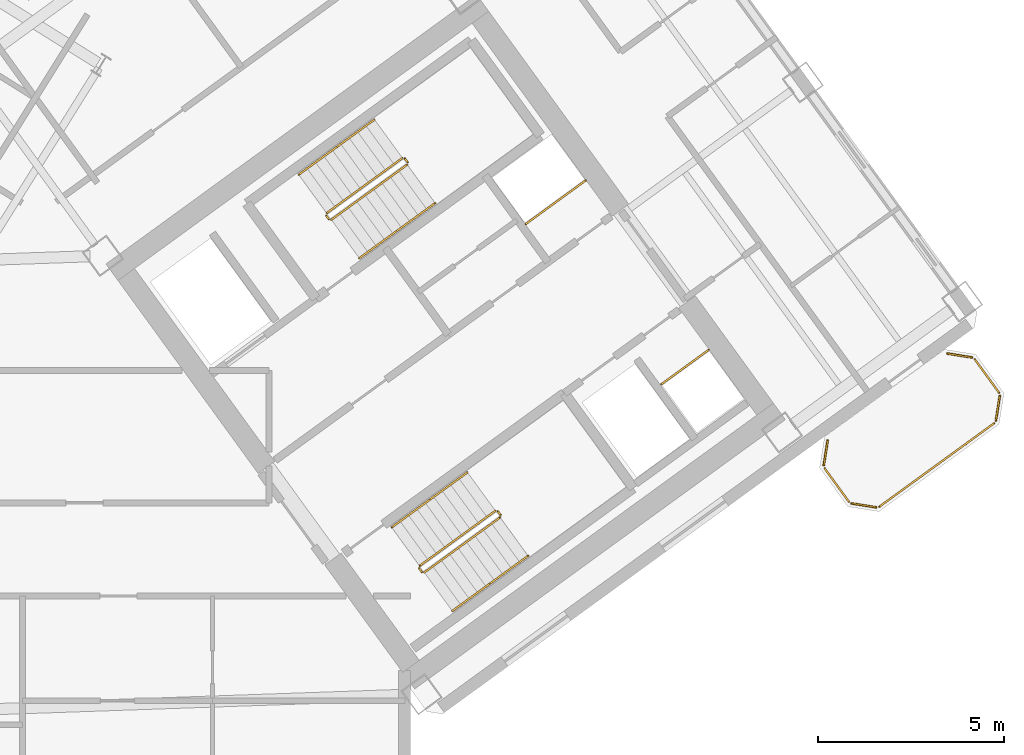
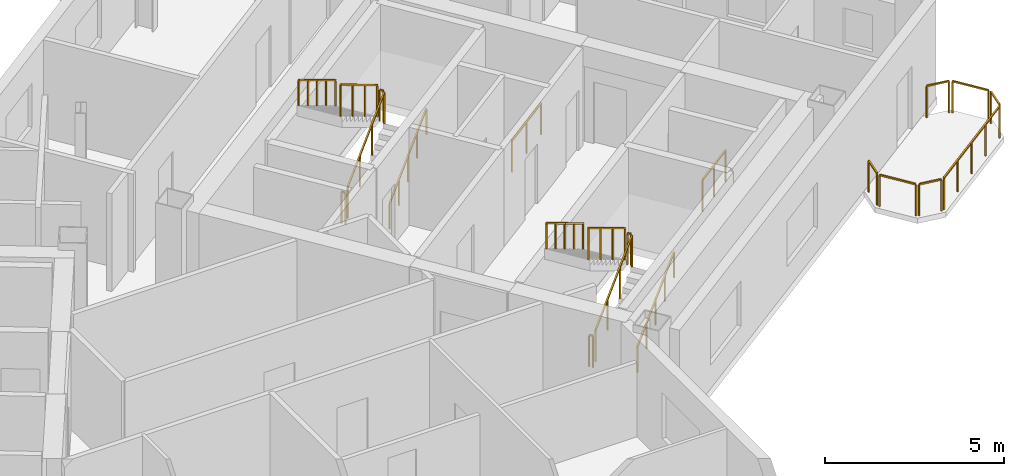
# One storey, part 19 of 20: 25 railings.
"""IFC4 building model written with IfcOpenShell, lengths in metres."""

from ifc_helpers import new_model, si_unit, direction, frame, origin, origin_2d, place, context, subcontext, project, spatial, rectangle, extrude, source, transform, mapped, material, type_object, element, save


model = new_model("IFC4")

# Units and contexts
model_context = context("Model", 3, precision=1e-05, world=origin(), true_north=direction((0.0, 1.0)))
body_context = subcontext(model_context, "Body", "Model", "MODEL_VIEW")
ifc_project = project(units=[si_unit("LENGTHUNIT", "METRE"), si_unit("AREAUNIT", "SQUARE_METRE"), si_unit("VOLUMEUNIT", "CUBIC_METRE"), si_unit("PLANEANGLEUNIT", "RADIAN"), si_unit("MASSUNIT", "GRAM", prefix="KILO")], contexts=[model_context])

# Site, building, storey
site_placement = place(None, origin())
site = spatial("IfcSite", under=ifc_project, at=site_placement, CompositionType="ELEMENT")
building_placement = place(site_placement, origin())
building = spatial("IfcBuilding", under=site, at=building_placement, Name="Tlacorven Tower", CompositionType="ELEMENT")
storey_placement = place(building_placement, frame((0.0, 0.0, 187.800048828125)))
storey = spatial("IfcBuildingStorey", under=building, at=storey_placement, Name="L47", CompositionType="ELEMENT", Elevation=187.800048828125)

# Railings
ifc_material = material(Name="Aluminium and painted steel balustrade", Category="steel")
railing_type_1 = type_object("IfcRailingType", Name="RL-GRD-1100", PredefinedType="GUARDRAIL", material=ifc_material)
shared_shape_1 = source(origin(), body_context, "Body", "SweptSolid", [
    extrude(rectangle(XDim=0.048095703125, YDim=0.048095703125, at=origin_2d()), frame((0.0, 0.0, 1.076171875), z_axis=(0.808947177504, 0.587881334972, 0.0), x_axis=(-0.587881334972, 0.808947177504, 0.0)), (0.0, 0.0, 1.0), 2.0),
    extrude(rectangle(XDim=0.0419921875, YDim=0.0419921875, at=origin_2d()), origin(), (0.0, 0.0, 1.0), 1.052001953125),
    extrude(rectangle(XDim=0.0419921875, YDim=0.0419921875, at=origin_2d()), frame((0.80908203125, 0.587890625, 0.0)), (0.0, 0.0, 1.0), 1.052001953125),
    extrude(rectangle(XDim=0.0419921875, YDim=0.0419921875, at=origin_2d()), frame((1.617919921875, 1.17578125, 0.0)), (0.0, 0.0, 1.0), 1.052001953125),
])
railing_1_placement = place(storey_placement, frame((55.506103515625, 25.438232421875, 0.0)))
element("IfcRailing", 1, at=railing_1_placement, inside=storey, type_object=railing_type_1, Name="L47 Electrical Riser E Shaft Guard 1", PredefinedType="GUARDRAIL", context=body_context, shape_type="MappedRepresentation", body=[
    mapped(shared_shape_1, transform((0.0, 0.0, 0.0), scale=1.0)),
])
shared_shape_2 = source(origin(), body_context, "Body", "SweptSolid", [
    extrude(rectangle(XDim=0.048095703125, YDim=0.048095703125, at=origin_2d()), frame((0.0, 0.0, 1.076171875), z_axis=(0.809029975545, 0.58776738483, 0.0), x_axis=(-0.58776738483, 0.809029975545, 0.0)), (0.0, 0.0, 1.0), 1.580078125),
    extrude(rectangle(XDim=0.0419921875, YDim=0.0419921875, at=origin_2d()), origin(), (0.0, 0.0, 1.0), 1.052001953125),
    extrude(rectangle(XDim=0.0419921875, YDim=0.0419921875, at=origin_2d()), frame((0.63916015625, 0.46435546875, 0.0)), (0.0, 0.0, 1.0), 1.052001953125),
    extrude(rectangle(XDim=0.0419921875, YDim=0.0419921875, at=origin_2d()), frame((1.2783203125, 0.9287109375, 0.0)), (0.0, 0.0, 1.0), 1.052001953125),
])
railing_2_placement = place(storey_placement, frame((59.160888671875, 21.122314453125, 0.0)))
element("IfcRailing", 2, at=railing_2_placement, inside=storey, type_object=railing_type_1, Name="L47 Smoke Riser E Shaft Guard 1", PredefinedType="GUARDRAIL", context=body_context, shape_type="MappedRepresentation", body=[
    mapped(shared_shape_2, transform((0.0, 0.0, 0.0), scale=1.0)),
])
railing_type_2 = type_object("IfcRailingType", Name="RL-BAL-1100", PredefinedType="BALUSTRADE", material=ifc_material)
shared_shape_3 = source(origin(), body_context, "Body", "SweptSolid", [
    extrude(rectangle(XDim=0.048095703125, YDim=0.048095703125, at=origin_2d()), frame((0.0, 0.0, 1.076171875), z_axis=(0.156602868908, 0.987661653326, 0.0), x_axis=(-0.987661653326, 0.156602868908, 0.0)), (0.0, 0.0, 1.0), 0.665771484375),
    extrude(rectangle(XDim=0.0419921875, YDim=0.0419921875, at=origin_2d()), origin(), (0.0, 0.0, 1.0), 1.052001953125),
    extrude(rectangle(XDim=0.0419921875, YDim=0.0419921875, at=origin_2d()), frame((0.104248046875, 0.657470703125, 0.0)), (0.0, 0.0, 1.0), 1.052001953125),
])
railing_3_placement = place(storey_placement, frame((63.539306640625, 18.949951171875, 0.0)))
element("IfcRailing", 3, at=railing_3_placement, inside=storey, type_object=railing_type_2, Name="BAL-L47-E-OUT Guard Railing 3", PredefinedType="BALUSTRADE", context=body_context, shape_type="MappedRepresentation", body=[
    mapped(shared_shape_3, transform((0.0, 0.0, 0.0), scale=1.0)),
])
shared_shape_4 = source(origin(), body_context, "Body", "SweptSolid", [
    extrude(rectangle(XDim=0.048095703125, YDim=0.048095703125, at=origin_2d()), frame((0.0, 0.0, 1.076171875), z_axis=(0.58788449985, -0.808944877501, 0.0), x_axis=(0.808944877501, 0.58788449985, 0.0)), (0.0, 0.0, 1.0), 1.112060546875),
    extrude(rectangle(XDim=0.0419921875, YDim=0.0419921875, at=origin_2d()), origin(), (0.0, 0.0, 1.0), 1.052001953125),
    extrude(rectangle(XDim=0.0419921875, YDim=0.0419921875, at=origin_2d()), frame((0.65380859375, -0.899658203125, 0.0)), (0.0, 0.0, 1.0), 1.052001953125),
])
railing_4_placement = place(storey_placement, frame((67.60595703125, 21.799072265625, 0.0)))
element("IfcRailing", 4, at=railing_4_placement, inside=storey, type_object=railing_type_2, Name="BAL-L47-E-OUT Guard Railing 5", PredefinedType="BALUSTRADE", context=body_context, shape_type="MappedRepresentation", body=[
    mapped(shared_shape_4, transform((0.0, 0.0, 0.0), scale=1.0)),
])
shared_shape_5 = source(origin(), body_context, "Body", "SweptSolid", [
    extrude(rectangle(XDim=0.048095703125, YDim=0.048095703125, at=origin_2d()), frame((0.0, 0.0, 1.076171875), z_axis=(-0.809018102573, -0.587783726986, 0.0), x_axis=(0.587783726986, -0.809018102573, 0.0)), (0.0, 0.0, 1.0), 3.817138671875),
    extrude(rectangle(XDim=0.0419921875, YDim=0.0419921875, at=origin_2d()), origin(), (0.0, 0.0, 1.0), 1.052001953125),
    extrude(rectangle(XDim=0.0419921875, YDim=0.0419921875, at=origin_2d()), frame((-0.77197265625, -0.56103515625, 0.0)), (0.0, 0.0, 1.0), 1.052001953125),
    extrude(rectangle(XDim=0.0419921875, YDim=0.0419921875, at=origin_2d()), frame((-1.5439453125, -1.121826171875, 0.0)), (0.0, 0.0, 1.0), 1.052001953125),
    extrude(rectangle(XDim=0.0419921875, YDim=0.0419921875, at=origin_2d()), frame((-2.316162109375, -1.6826171875, 0.0)), (0.0, 0.0, 1.0), 1.052001953125),
    extrude(rectangle(XDim=0.0419921875, YDim=0.0419921875, at=origin_2d()), frame((-3.088134765625, -2.24365234375, 0.0)), (0.0, 0.0, 1.0), 1.052001953125),
])
railing_5_placement = place(storey_placement, frame((68.12890625, 20.0732421875, 0.0)))
element("IfcRailing", 5, at=railing_5_placement, inside=storey, type_object=railing_type_2, Name="BAL-L47-E-OUT Guard Railing 7", PredefinedType="BALUSTRADE", context=body_context, shape_type="MappedRepresentation", body=[
    mapped(shared_shape_5, transform((0.0, 0.0, 0.0), scale=1.0)),
])
shared_shape_6 = source(origin(), body_context, "Body", "SweptSolid", [
    extrude(rectangle(XDim=0.048095703125, YDim=0.048095703125, at=origin_2d()), frame((0.0, 0.0, 1.076171875), z_axis=(-0.987718317463, 0.156245081039, 0.0), x_axis=(-0.156245081039, -0.987718317463, 0.0)), (0.0, 0.0, 1.0), 0.66552734375),
    extrude(rectangle(XDim=0.0419921875, YDim=0.0419921875, at=origin_2d()), origin(), (0.0, 0.0, 1.0), 1.052001953125),
    extrude(rectangle(XDim=0.0419921875, YDim=0.0419921875, at=origin_2d()), frame((-0.657470703125, 0.10400390625, 0.0)), (0.0, 0.0, 1.0), 1.052001953125),
])
railing_6_placement = place(storey_placement, frame((64.950927734375, 17.80810546875, 0.0)))
element("IfcRailing", 6, at=railing_6_placement, inside=storey, type_object=railing_type_2, Name="BAL-L47-E-OUT Guard Railing 1", PredefinedType="BALUSTRADE", context=body_context, shape_type="MappedRepresentation", body=[
    mapped(shared_shape_6, transform((0.0, 0.0, 0.0), scale=1.0)),
])
shared_shape_7 = source(origin(), body_context, "Body", "SweptSolid", [
    extrude(rectangle(XDim=0.048095703125, YDim=0.048095703125, at=origin_2d()), frame((0.0, 0.0, 1.076171875), z_axis=(-0.587740817519, 0.809049276263, 0.0), x_axis=(-0.809049276263, -0.587740817519, 0.0)), (0.0, 0.0, 1.0), 1.112060546875),
    extrude(rectangle(XDim=0.0419921875, YDim=0.0419921875, at=origin_2d()), origin(), (0.0, 0.0, 1.0), 1.052001953125),
    extrude(rectangle(XDim=0.0419921875, YDim=0.0419921875, at=origin_2d()), frame((-0.653564453125, 0.899658203125, 0.0)), (0.0, 0.0, 1.0), 1.052001953125),
])
railing_7_placement = place(storey_placement, frame((64.214599609375, 17.96044921875, 0.0)))
element("IfcRailing", 7, at=railing_7_placement, inside=storey, type_object=railing_type_2, Name="BAL-L47-E-OUT Guard Railing 2", PredefinedType="BALUSTRADE", context=body_context, shape_type="MappedRepresentation", body=[
    mapped(shared_shape_7, transform((0.0, 0.0, 0.0), scale=1.0)),
])
shared_shape_8 = source(origin(), body_context, "Body", "SweptSolid", [
    extrude(rectangle(XDim=0.048095703125, YDim=0.048095703125, at=origin_2d()), frame((0.0, 0.0, 1.076171875), z_axis=(-0.156245081039, -0.987718317463, 0.0), x_axis=(0.987718317463, -0.156245081039, 0.0)), (0.0, 0.0, 1.0), 0.66552734375),
    extrude(rectangle(XDim=0.0419921875, YDim=0.0419921875, at=origin_2d()), origin(), (0.0, 0.0, 1.0), 1.052001953125),
    extrude(rectangle(XDim=0.0419921875, YDim=0.0419921875, at=origin_2d()), frame((-0.10400390625, -0.657470703125, 0.0)), (0.0, 0.0, 1.0), 1.052001953125),
])
railing_8_placement = place(storey_placement, frame((68.28125, 20.8095703125, 0.0)))
element("IfcRailing", 8, at=railing_8_placement, inside=storey, type_object=railing_type_2, Name="BAL-L47-E-OUT Guard Railing 6", PredefinedType="BALUSTRADE", context=body_context, shape_type="MappedRepresentation", body=[
    mapped(shared_shape_8, transform((0.0, 0.0, 0.0), scale=1.0)),
])
shared_shape_9 = source(origin(), body_context, "Body", "SweptSolid", [
    extrude(rectangle(XDim=0.048095703125, YDim=0.048095703125, at=origin_2d()), frame((0.0, 0.0, 1.076171875), z_axis=(0.987727266442, -0.156188498702, 0.0), x_axis=(0.156188498702, 0.987727266442, 0.0)), (0.0, 0.0, 1.0), 0.665771484375),
    extrude(rectangle(XDim=0.0419921875, YDim=0.0419921875, at=origin_2d()), origin(), (0.0, 0.0, 1.0), 1.052001953125),
    extrude(rectangle(XDim=0.0419921875, YDim=0.0419921875, at=origin_2d()), frame((0.65771484375, -0.10400390625, 0.0)), (0.0, 0.0, 1.0), 1.052001953125),
])
railing_9_placement = place(storey_placement, frame((66.86962890625, 21.951416015625, 0.0)))
element("IfcRailing", 9, at=railing_9_placement, inside=storey, type_object=railing_type_2, Name="BAL-L47-E-OUT Guard Railing 4", PredefinedType="BALUSTRADE", context=body_context, shape_type="MappedRepresentation", body=[
    mapped(shared_shape_9, transform((0.0, 0.0, 0.0), scale=1.0)),
])
shared_shape_10 = source(origin(), body_context, "Body", "SweptSolid", [
    extrude(rectangle(XDim=0.048095703125, YDim=0.048095703125, at=origin_2d()), frame((0.0, 0.0, 1.076171875), z_axis=(-0.587567097037, 0.809175448515, 0.0), x_axis=(-0.809175448515, -0.587567097037, 0.0)), (0.0, 0.0, 1.0), 0.1201171875),
    extrude(rectangle(XDim=0.0419921875, YDim=0.0419921875, at=origin_2d()), origin(), (0.0, 0.0, 1.0), 1.052001953125),
    extrude(rectangle(XDim=0.0419921875, YDim=0.0419921875, at=origin_2d()), frame((-0.070556640625, 0.09716796875, 0.0)), (0.0, 0.0, 1.0), 1.052001953125),
])
for number, where, name in (
    (10, (54.8310546875, 17.605712890625, 1.800048828125), "L47 ST-E2 stair guard 2"),
    (11, (52.71142578125, 16.065673828125, 0.0), "L47 ST-E2 stair guard 4"),
):
    element("IfcRailing", number, at=place(storey_placement, frame(where)), inside=storey, type_object=railing_type_1, Name=name, PredefinedType="GUARDRAIL", context=body_context, shape_type="MappedRepresentation", body=[
        mapped(shared_shape_10, transform((0.0, 0.0, 0.0), scale=1.0)),
    ])
shared_shape_11 = source(origin(), body_context, "Body", "SweptSolid", [
    extrude(rectangle(XDim=0.048095703125, YDim=0.048095703125, at=origin_2d()), frame((0.0, 0.0, 1.076171875), z_axis=(-0.587201422542, 0.809440849824, 0.0), x_axis=(-0.809440849824, -0.587201422542, 0.0)), (0.0, 0.0, 1.0), 0.11962890625),
    extrude(rectangle(XDim=0.0419921875, YDim=0.0419921875, at=origin_2d()), origin(), (0.0, 0.0, 1.0), 1.052001953125),
    extrude(rectangle(XDim=0.0419921875, YDim=0.0419921875, at=origin_2d()), frame((-0.0703125, 0.096923828125, 0.0)), (0.0, 0.0, 1.0), 1.052001953125),
])
for number, where, name in (
    (12, (52.326904296875, 27.10888671875, 1.800048828125), "L47 ST-E1 stair guard 2"),
    (13, (50.207275390625, 25.56884765625, 0.0), "L47 ST-E1 stair guard 4"),
):
    element("IfcRailing", number, at=place(storey_placement, frame(where)), inside=storey, type_object=railing_type_1, Name=name, PredefinedType="GUARDRAIL", context=body_context, shape_type="MappedRepresentation", body=[
        mapped(shared_shape_11, transform((0.0, 0.0, 0.0), scale=1.0)),
    ])
shared_shape_12 = source(origin(), body_context, "Body", "SweptSolid", [
    extrude(rectangle(XDim=0.048095703125, YDim=0.048095703125, at=origin_2d()), frame((0.0, 0.0, 1.076171875), z_axis=(0.680488636597, 0.494434078831, 0.540805100894), x_axis=(-0.5878087079, 0.808999952359, 0.0)), (0.0, 0.0, 1.0), 2.995849609375),
    extrude(rectangle(XDim=0.0419921875, YDim=0.0419921875, at=origin_2d()), origin(), (0.0, 0.0, 1.0), 1.052001953125),
    extrude(rectangle(XDim=0.0419921875, YDim=0.0419921875, at=origin_2d()), frame((0.679443359375, 0.49365234375, 0.5400390625)), (0.0, 0.0, 1.0), 1.052001953125),
    extrude(rectangle(XDim=0.0419921875, YDim=0.0419921875, at=origin_2d()), frame((1.359130859375, 0.987548828125, 1.080078125)), (0.0, 0.0, 1.0), 1.052001953125),
    extrude(rectangle(XDim=0.0419921875, YDim=0.0419921875, at=origin_2d()), frame((2.03857421875, 1.481201171875, 1.6201171875)), (0.0, 0.0, 1.0), 1.052001953125),
])
railing_10_placement = place(storey_placement, frame((50.27734375, 25.557861328125, 0.179931640625)))
element("IfcRailing", 14, at=railing_10_placement, inside=storey, type_object=railing_type_1, Name="L47 ST-E1 stair guard 1", PredefinedType="GUARDRAIL", context=body_context, shape_type="MappedRepresentation", body=[
    mapped(shared_shape_12, transform((0.0, 0.0, 0.0), scale=1.0)),
])
railing_type_3 = type_object("IfcRailingType", Name="RL-HND-0900", PredefinedType="HANDRAIL", material=ifc_material)
shared_shape_13 = source(origin(), body_context, "Body", "SweptSolid", [
    extrude(rectangle(XDim=0.048095703125, YDim=0.048095703125, at=origin_2d()), frame((0.0, 0.0, 0.8759765625), z_axis=(0.680516055757, 0.494372502302, 0.540826891737), x_axis=(-0.587745292299, 0.809046025502, 0.0)), (0.0, 0.0, 1.0), 1.497802734375),
    extrude(rectangle(XDim=0.0419921875, YDim=0.0419921875, at=origin_2d()), origin(), (0.0, 0.0, 1.0), 0.851806640625),
    extrude(rectangle(XDim=0.0419921875, YDim=0.0419921875, at=origin_2d()), frame((0.509765625, 0.3701171875, 0.405029296875)), (0.0, 0.0, 1.0), 0.851806640625),
    extrude(rectangle(XDim=0.0419921875, YDim=0.0419921875, at=origin_2d()), frame((1.019287109375, 0.740478515625, 0.81005859375)), (0.0, 0.0, 1.0), 0.851806640625),
])
for number, where, name in (
    (15, (51.029541015625, 24.522216796875, 0.179931640625), "L47 ST-E1 stair handrail 1"),
    (16, (54.552978515625, 15.759765625, 0.989990234375), "L47 ST-E2 stair handrail 2"),
):
    element("IfcRailing", number, at=place(storey_placement, frame(where)), inside=storey, type_object=railing_type_3, Name=name, PredefinedType="HANDRAIL", context=body_context, shape_type="MappedRepresentation", body=[
        mapped(shared_shape_13, transform((0.0, 0.0, 0.0), scale=1.0)),
    ])
shared_shape_14 = source(origin(), body_context, "Body", "SweptSolid", [
    extrude(rectangle(XDim=0.048095703125, YDim=0.048095703125, at=origin_2d()), frame((0.0, 0.0, 0.8759765625), z_axis=(0.680548719995, 0.49444080854, 0.540723336433), x_axis=(-0.587779977844, 0.80902082646, 0.0)), (0.0, 0.0, 1.0), 1.498046875),
    extrude(rectangle(XDim=0.0419921875, YDim=0.0419921875, at=origin_2d()), origin(), (0.0, 0.0, 1.0), 0.851806640625),
    extrude(rectangle(XDim=0.0419921875, YDim=0.0419921875, at=origin_2d()), frame((0.509765625, 0.370361328125, 0.405029296875)), (0.0, 0.0, 1.0), 0.851806640625),
    extrude(rectangle(XDim=0.0419921875, YDim=0.0419921875, at=origin_2d()), frame((1.01953125, 0.74072265625, 0.81005859375)), (0.0, 0.0, 1.0), 0.851806640625),
])
railing_11_placement = place(storey_placement, frame((52.048828125, 25.2626953125, 0.989990234375)))
element("IfcRailing", 17, at=railing_11_placement, inside=storey, type_object=railing_type_3, Name="L47 ST-E1 stair handrail 2", PredefinedType="HANDRAIL", context=body_context, shape_type="MappedRepresentation", body=[
    mapped(shared_shape_14, transform((0.0, 0.0, 0.0), scale=1.0)),
])
shared_shape_15 = source(origin(), body_context, "Body", "SweptSolid", [
    extrude(rectangle(XDim=0.048095703125, YDim=0.048095703125, at=origin_2d()), frame((0.0, 0.0, 0.8759765625), z_axis=(-0.680603554404, -0.494317667746, 0.540766904577), x_axis=(0.587653156371, -0.809112951205, 0.0)), (0.0, 0.0, 1.0), 1.498046875),
    extrude(rectangle(XDim=0.0419921875, YDim=0.0419921875, at=origin_2d()), origin(), (0.0, 0.0, 1.0), 0.851806640625),
    extrude(rectangle(XDim=0.0419921875, YDim=0.0419921875, at=origin_2d()), frame((-0.509765625, -0.3701171875, 0.405029296875)), (0.0, 0.0, 1.0), 0.851806640625),
    extrude(rectangle(XDim=0.0419921875, YDim=0.0419921875, at=origin_2d()), frame((-1.01953125, -0.740478515625, 0.81005859375)), (0.0, 0.0, 1.0), 0.851806640625),
])
railing_12_placement = place(storey_placement, frame((51.434326171875, 28.25244140625, 1.97998046875)))
element("IfcRailing", 18, at=railing_12_placement, inside=storey, type_object=railing_type_3, Name="L47 ST-E1 stair handrail 3", PredefinedType="HANDRAIL", context=body_context, shape_type="MappedRepresentation", body=[
    mapped(shared_shape_15, transform((0.0, 0.0, 0.0), scale=1.0)),
])
shared_shape_16 = source(origin(), body_context, "Body", "SweptSolid", [
    extrude(rectangle(XDim=0.048095703125, YDim=0.048095703125, at=origin_2d()), frame((0.0, 0.0, 1.076171875), z_axis=(-0.680518627673, -0.494455869951, 0.540747436481), x_axis=(0.5878087079, -0.808999952359, 0.0)), (0.0, 0.0, 1.0), 2.99560546875),
    extrude(rectangle(XDim=0.0419921875, YDim=0.0419921875, at=origin_2d()), origin(), (0.0, 0.0, 1.0), 1.052001953125),
    extrude(rectangle(XDim=0.0419921875, YDim=0.0419921875, at=origin_2d()), frame((-0.679443359375, -0.49365234375, 0.5400390625)), (0.0, 0.0, 1.0), 1.052001953125),
    extrude(rectangle(XDim=0.0419921875, YDim=0.0419921875, at=origin_2d()), frame((-1.359130859375, -0.987548828125, 1.079833984375)), (0.0, 0.0, 1.0), 1.052001953125),
    extrude(rectangle(XDim=0.0419921875, YDim=0.0419921875, at=origin_2d()), frame((-2.03857421875, -1.481201171875, 1.619873046875)), (0.0, 0.0, 1.0), 1.052001953125),
])
railing_13_placement = place(storey_placement, frame((52.1865234375, 27.217041015625, 1.97998046875)))
element("IfcRailing", 19, at=railing_13_placement, inside=storey, type_object=railing_type_1, Name="L47 ST-E1 stair guard 3", PredefinedType="GUARDRAIL", context=body_context, shape_type="MappedRepresentation", body=[
    mapped(shared_shape_16, transform((0.0, 0.0, 0.0), scale=1.0)),
])
shared_shape_17 = source(origin(), body_context, "Body", "SweptSolid", [
    extrude(rectangle(XDim=0.048095703125, YDim=0.048095703125, at=origin_2d()), frame((0.0, 0.0, 0.8759765625), z_axis=(-0.680521190579, -0.494539231669, 0.540667973449), x_axis=(0.587872112667, -0.808953879494, 0.0)), (0.0, 0.0, 1.0), 1.497802734375),
    extrude(rectangle(XDim=0.0419921875, YDim=0.0419921875, at=origin_2d()), origin(), (0.0, 0.0, 1.0), 0.851806640625),
    extrude(rectangle(XDim=0.0419921875, YDim=0.0419921875, at=origin_2d()), frame((-0.509765625, -0.370361328125, 0.40478515625)), (0.0, 0.0, 1.0), 0.851806640625),
    extrude(rectangle(XDim=0.0419921875, YDim=0.0419921875, at=origin_2d()), frame((-1.019287109375, -0.74072265625, 0.809814453125)), (0.0, 0.0, 1.0), 0.851806640625),
])
for number, where, name in (
    (20, (50.414794921875, 27.511962890625, 2.7900390625), "L47 ST-E1 stair handrail 4"),
    (21, (52.9189453125, 18.0087890625, 2.7900390625), "L47 ST-E2 stair handrail 4"),
):
    element("IfcRailing", number, at=place(storey_placement, frame(where)), inside=storey, type_object=railing_type_3, Name=name, PredefinedType="HANDRAIL", context=body_context, shape_type="MappedRepresentation", body=[
        mapped(shared_shape_17, transform((0.0, 0.0, 0.0), scale=1.0)),
    ])
shared_shape_18 = source(origin(), body_context, "Body", "SweptSolid", [
    extrude(rectangle(XDim=0.048095703125, YDim=0.048095703125, at=origin_2d()), frame((0.0, 0.0, 1.076171875), z_axis=(0.680532390839, 0.494406659708, 0.54077511024), x_axis=(-0.587762637553, 0.809033424462, 0.0)), (0.0, 0.0, 1.0), 2.995849609375),
    extrude(rectangle(XDim=0.0419921875, YDim=0.0419921875, at=origin_2d()), origin(), (0.0, 0.0, 1.0), 1.052001953125),
    extrude(rectangle(XDim=0.0419921875, YDim=0.0419921875, at=origin_2d()), frame((0.6796875, 0.49365234375, 0.5400390625)), (0.0, 0.0, 1.0), 1.052001953125),
    extrude(rectangle(XDim=0.0419921875, YDim=0.0419921875, at=origin_2d()), frame((1.359130859375, 0.987548828125, 1.080078125)), (0.0, 0.0, 1.0), 1.052001953125),
    extrude(rectangle(XDim=0.0419921875, YDim=0.0419921875, at=origin_2d()), frame((2.038818359375, 1.481201171875, 1.6201171875)), (0.0, 0.0, 1.0), 1.052001953125),
])
railing_14_placement = place(storey_placement, frame((52.78125, 16.0546875, 0.179931640625)))
element("IfcRailing", 22, at=railing_14_placement, inside=storey, type_object=railing_type_1, Name="L47 ST-E2 stair guard 1", PredefinedType="GUARDRAIL", context=body_context, shape_type="MappedRepresentation", body=[
    mapped(shared_shape_18, transform((0.0, 0.0, 0.0), scale=1.0)),
])
shared_shape_19 = source(origin(), body_context, "Body", "SweptSolid", [
    extrude(rectangle(XDim=0.048095703125, YDim=0.048095703125, at=origin_2d()), frame((0.0, 0.0, 0.8759765625), z_axis=(0.680461216233, 0.494495647917, 0.540783309093), x_axis=(-0.587872112667, 0.808953879494, 0.0)), (0.0, 0.0, 1.0), 1.498046875),
    extrude(rectangle(XDim=0.0419921875, YDim=0.0419921875, at=origin_2d()), origin(), (0.0, 0.0, 1.0), 0.851806640625),
    extrude(rectangle(XDim=0.0419921875, YDim=0.0419921875, at=origin_2d()), frame((0.509765625, 0.370361328125, 0.405029296875)), (0.0, 0.0, 1.0), 0.851806640625),
    extrude(rectangle(XDim=0.0419921875, YDim=0.0419921875, at=origin_2d()), frame((1.019287109375, 0.74072265625, 0.81005859375)), (0.0, 0.0, 1.0), 0.851806640625),
])
railing_15_placement = place(storey_placement, frame((53.53369140625, 15.01904296875, 0.179931640625)))
element("IfcRailing", 23, at=railing_15_placement, inside=storey, type_object=railing_type_3, Name="L47 ST-E2 stair handrail 1", PredefinedType="HANDRAIL", context=body_context, shape_type="MappedRepresentation", body=[
    mapped(shared_shape_19, transform((0.0, 0.0, 0.0), scale=1.0)),
])
shared_shape_20 = source(origin(), body_context, "Body", "SweptSolid", [
    extrude(rectangle(XDim=0.048095703125, YDim=0.048095703125, at=origin_2d()), frame((0.0, 0.0, 0.8759765625), z_axis=(-0.680516055757, -0.494372502302, 0.540826891737), x_axis=(0.587745292299, -0.809046025502, 0.0)), (0.0, 0.0, 1.0), 1.497802734375),
    extrude(rectangle(XDim=0.0419921875, YDim=0.0419921875, at=origin_2d()), origin(), (0.0, 0.0, 1.0), 0.851806640625),
    extrude(rectangle(XDim=0.0419921875, YDim=0.0419921875, at=origin_2d()), frame((-0.509765625, -0.3701171875, 0.405029296875)), (0.0, 0.0, 1.0), 0.851806640625),
    extrude(rectangle(XDim=0.0419921875, YDim=0.0419921875, at=origin_2d()), frame((-1.019287109375, -0.740478515625, 0.81005859375)), (0.0, 0.0, 1.0), 0.851806640625),
])
railing_16_placement = place(storey_placement, frame((53.938232421875, 18.749267578125, 1.97998046875)))
element("IfcRailing", 24, at=railing_16_placement, inside=storey, type_object=railing_type_3, Name="L47 ST-E2 stair handrail 3", PredefinedType="HANDRAIL", context=body_context, shape_type="MappedRepresentation", body=[
    mapped(shared_shape_20, transform((0.0, 0.0, 0.0), scale=1.0)),
])
shared_shape_21 = source(origin(), body_context, "Body", "SweptSolid", [
    extrude(rectangle(XDim=0.048095703125, YDim=0.048095703125, at=origin_2d()), frame((0.0, 0.0, 1.076171875), z_axis=(-0.680562380517, -0.494428447203, 0.540717446381), x_axis=(0.587762637553, -0.809033424462, 0.0)), (0.0, 0.0, 1.0), 2.995849609375),
    extrude(rectangle(XDim=0.0419921875, YDim=0.0419921875, at=origin_2d()), origin(), (0.0, 0.0, 1.0), 1.052001953125),
    extrude(rectangle(XDim=0.0419921875, YDim=0.0419921875, at=origin_2d()), frame((-0.6796875, -0.49365234375, 0.5400390625)), (0.0, 0.0, 1.0), 1.052001953125),
    extrude(rectangle(XDim=0.0419921875, YDim=0.0419921875, at=origin_2d()), frame((-1.359130859375, -0.987548828125, 1.079833984375)), (0.0, 0.0, 1.0), 1.052001953125),
    extrude(rectangle(XDim=0.0419921875, YDim=0.0419921875, at=origin_2d()), frame((-2.038818359375, -1.481201171875, 1.619873046875)), (0.0, 0.0, 1.0), 1.052001953125),
])
railing_17_placement = place(storey_placement, frame((54.690673828125, 17.7138671875, 1.97998046875)))
element("IfcRailing", 25, at=railing_17_placement, inside=storey, type_object=railing_type_1, Name="L47 ST-E2 stair guard 3", PredefinedType="GUARDRAIL", context=body_context, shape_type="MappedRepresentation", body=[
    mapped(shared_shape_21, transform((0.0, 0.0, 0.0), scale=1.0)),
])

save(model, "model.ifc")
